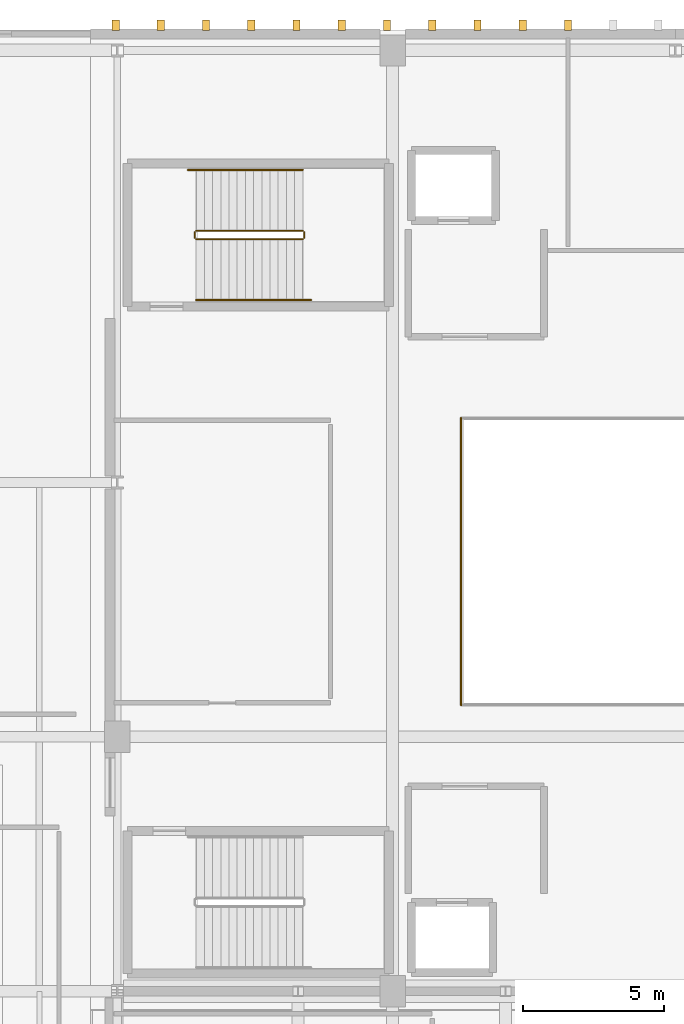
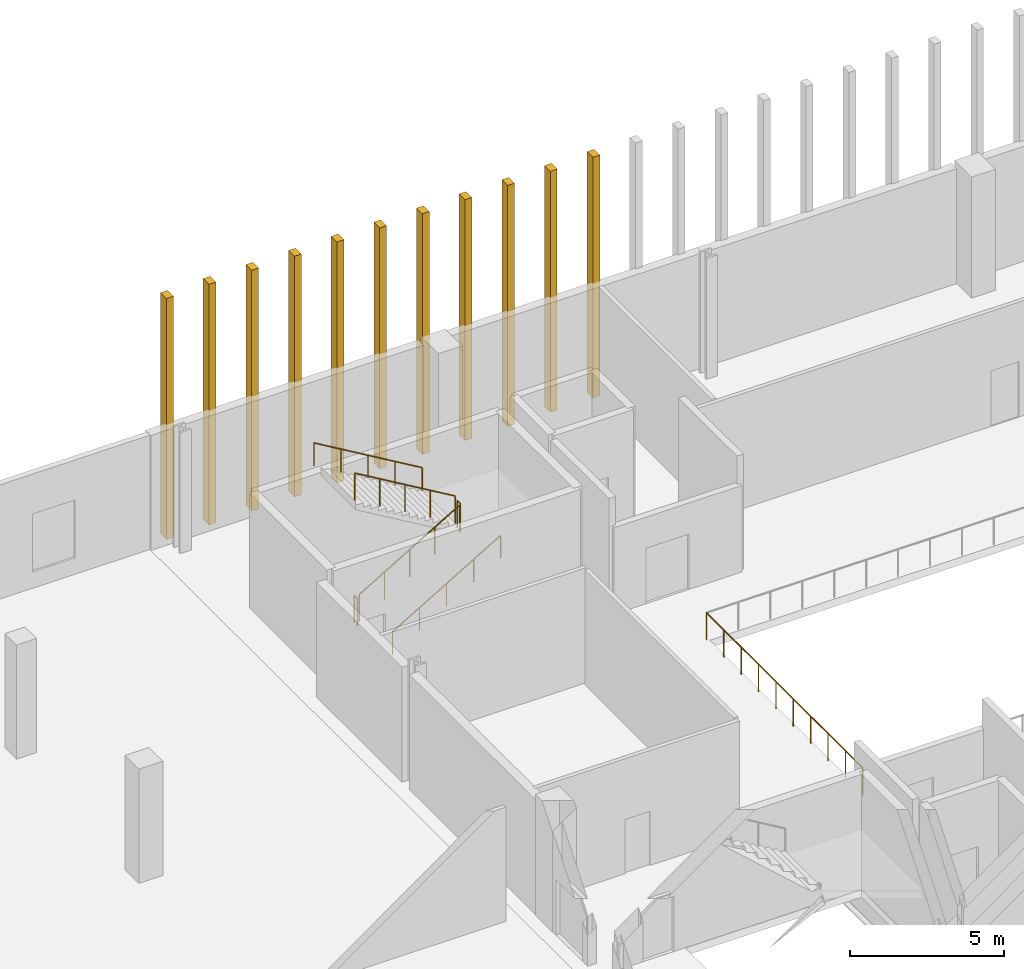
# One storey, part 28 of 30: 11 coverings, 7 railings.
"""IFC4 building model written with IfcOpenShell, lengths in metres."""

from ifc_helpers import new_model, si_unit, direction, frame, origin, origin_2d, place, context, subcontext, project, spatial, rectangle, circle, extrude, material, layer, layer_set, type_object, element, save


model = new_model("IFC4")

# Units and contexts
model_context = context("Model", 3, precision=1e-05, world=origin(), true_north=direction((0.0, 1.0)))
body_context = subcontext(model_context, "Body", "Model", "MODEL_VIEW")
ifc_project = project(units=[si_unit("LENGTHUNIT", "METRE"), si_unit("AREAUNIT", "SQUARE_METRE"), si_unit("VOLUMEUNIT", "CUBIC_METRE"), si_unit("PLANEANGLEUNIT", "RADIAN"), si_unit("MASSUNIT", "GRAM", prefix="KILO")], contexts=[model_context])

# Site, building, storey
site_placement = place(None, origin())
site = spatial("IfcSite", under=ifc_project, at=site_placement, CompositionType="ELEMENT")
building_placement = place(site_placement, origin())
building = spatial("IfcBuilding", under=site, at=building_placement, Name="Trimount Lyric Opera House", CompositionType="ELEMENT")
storey_placement = place(building_placement, frame((0.0, 0.0, 24.800048828125)))
storey = spatial("IfcBuildingStorey", under=building, at=storey_placement, Name="L05", CompositionType="ELEMENT", Elevation=24.800048828125)

# Coverings
ifc_material_1 = material(Name="Extruded Brushed Aluminium Vertical Shed Rib", Category="aluminium")
ifc_layer = layer(ifc_material_1, 0.260009765625)
ifc_layer_set = layer_set([ifc_layer], Name="CLD-RIB1")
covering_type = type_object("IfcCoveringType", Name="CLD-RIB1", PredefinedType="CLADDING", material=ifc_layer_set)
for number, where, z_axis, x_axis, name in (
    (1, (64.199951171875, 118.1650390625, 0.0), (0.0, 0.0, 1.0), (1.0, 0.0, 0.0), "Fly-tower north vertical cladding rib 125"),
    (2, (65.800048828125, 118.1650390625, 0.0), (0.0, 0.0, 1.0), (1.0, 0.0, 0.0), "Fly-tower north vertical cladding rib 130"),
    (3, (67.39990234375, 118.1650390625, 0.0), (0.0, 0.0, 1.0), (1.0, 0.0, 0.0), "Fly-tower north vertical cladding rib 135"),
    (4, (69.0, 118.1650390625, 0.0), (0.0, 0.0, 1.0), (1.0, 0.0, 0.0), "Fly-tower north vertical cladding rib 140"),
    (5, (70.60009765625, 118.1650390625, 0.0), (0.0, 0.0, 1.0), (1.0, 0.0, 0.0), "Fly-tower north vertical cladding rib 145"),
    (6, (72.199951171875, 118.1650390625, 0.0), (0.0, 0.0, 1.0), (1.0, 0.0, 0.0), "Fly-tower north vertical cladding rib 150"),
    (7, (73.800048828125, 118.1650390625, 0.0), (0.0, 0.0, 1.0), (1.0, 0.0, 0.0), "Fly-tower north vertical cladding rib 155"),
    (8, (75.39990234375, 118.1650390625, 0.0), (0.0, 0.0, 1.0), (1.0, 0.0, 0.0), "Fly-tower north vertical cladding rib 160"),
    (9, (77.0, 118.1650390625, 0.0), (0.0, 0.0, 1.0), (1.0, 0.0, 0.0), "Fly-tower north vertical cladding rib 165"),
    (10, (78.60009765625, 118.1650390625, 0.0), (0.0, 0.0, 1.0), (1.0, 0.0, 0.0), "Fly-tower north vertical cladding rib 170"),
    (11, (80.199951171875, 118.1650390625, 0.0), (0.0, 0.0, 1.0), (1.0, 0.0, 0.0), "Fly-tower north vertical cladding rib 175"),
):
    element("IfcCovering", number, at=place(storey_placement, frame(where, z_axis=z_axis, x_axis=x_axis)), inside=storey, type_object=covering_type, Name=name, PredefinedType="CLADDING", context=body_context, shape_type="SweptSolid", body=[
        extrude(rectangle(XDim=0.260009765625, YDim=0.3798828125, at=origin_2d()), origin(), (0.0, 0.0, 1.0), 9.550048828125),
    ])

# Railings
ifc_material_2 = material(Name="Brushed Stainless Steel 316", Category="steel")
railing_type_1 = type_object("IfcRailingType", Name="RL-GRD110", PredefinedType="GUARDRAIL", material=ifc_material_2)
railing_1_placement = place(storey_placement, frame((67.050048828125, 110.60009765625, 0.17138671875)))
element("IfcRailing", 12, at=railing_1_placement, inside=storey, type_object=railing_type_1, Name="L05 ST-01 stair guard 1", PredefinedType="GUARDRAIL", context=body_context, shape_type="SweptSolid", body=[
    extrude(circle(Radius=0.02392578125, at=origin_2d()), frame((0.0, 0.0, 1.076171875), z_axis=(0.860848830602, 0.0, 0.508860777473), x_axis=(0.0, 1.0, 0.0)), (0.0, 0.0, 1.0), 4.37939453125),
    extrude(circle(Radius=0.02099609375, at=origin_2d()), origin(), (0.0, 0.0, 1.0), 1.052001953125),
    extrude(circle(Radius=0.02099609375, at=origin_2d()), frame((0.9423828125, 0.0, 0.55712890625)), (0.0, 0.0, 1.0), 1.052001953125),
    extrude(circle(Radius=0.02099609375, at=origin_2d()), frame((1.885009765625, 0.0, 1.1142578125)), (0.0, 0.0, 1.0), 1.052001953125),
    extrude(circle(Radius=0.02099609375, at=origin_2d()), frame((2.82763671875, 0.0, 1.67138671875)), (0.0, 0.0, 1.0), 1.052001953125),
    extrude(circle(Radius=0.02099609375, at=origin_2d()), frame((3.77001953125, 0.0, 2.228515625)), (0.0, 0.0, 1.0), 1.052001953125),
])
railing_2_placement = place(storey_placement, frame((70.8701171875, 110.64990234375, 2.39990234375)))
element("IfcRailing", 13, at=railing_2_placement, inside=storey, type_object=railing_type_1, Name="L05 ST-01 stair guard 2", PredefinedType="GUARDRAIL", context=body_context, shape_type="SweptSolid", body=[
    extrude(circle(Radius=0.02392578125, at=origin_2d()), frame((0.0, 0.0, 1.076171875), z_axis=(0.0, 1.0, 0.0), x_axis=(-1.0, 0.0, 0.0)), (0.0, 0.0, 1.0), 0.2001953125),
    extrude(circle(Radius=0.02099609375, at=origin_2d()), origin(), (0.0, 0.0, 1.0), 1.052001953125),
    extrude(circle(Radius=0.02099609375, at=origin_2d()), frame((0.0, 0.2001953125, 0.0)), (0.0, 0.0, 1.0), 1.052001953125),
])
railing_3_placement = place(storey_placement, frame((70.820068359375, 110.89990234375, 2.5712890625)))
element("IfcRailing", 14, at=railing_3_placement, inside=storey, type_object=railing_type_1, Name="L05 ST-01 stair guard 3", PredefinedType="GUARDRAIL", context=body_context, shape_type="SweptSolid", body=[
    extrude(circle(Radius=0.02392578125, at=origin_2d()), frame((0.0, 0.0, 1.076171875), z_axis=(-0.860824410104, 0.0, 0.508902087802), x_axis=(0.0, -1.0, 0.0)), (0.0, 0.0, 1.0), 4.379638671875),
    extrude(circle(Radius=0.02099609375, at=origin_2d()), origin(), (0.0, 0.0, 1.0), 1.052001953125),
    extrude(circle(Radius=0.02099609375, at=origin_2d()), frame((-0.9423828125, 0.0, 0.55712890625)), (0.0, 0.0, 1.0), 1.052001953125),
    extrude(circle(Radius=0.02099609375, at=origin_2d()), frame((-1.885009765625, 0.0, 1.1142578125)), (0.0, 0.0, 1.0), 1.052001953125),
    extrude(circle(Radius=0.02099609375, at=origin_2d()), frame((-2.82763671875, 0.0, 1.671630859375)), (0.0, 0.0, 1.0), 1.052001953125),
    extrude(circle(Radius=0.02099609375, at=origin_2d()), frame((-3.77001953125, 0.0, 2.228759765625)), (0.0, 0.0, 1.0), 1.052001953125),
])
railing_4_placement = place(storey_placement, frame((67.0, 110.64990234375, 0.0)))
element("IfcRailing", 15, at=railing_4_placement, inside=storey, type_object=railing_type_1, Name="L05 ST-01 stair guard 4", PredefinedType="GUARDRAIL", context=body_context, shape_type="SweptSolid", body=[
    extrude(circle(Radius=0.02392578125, at=origin_2d()), frame((0.0, 0.0, 1.076171875), z_axis=(0.0, 1.0, 0.0), x_axis=(-1.0, 0.0, 0.0)), (0.0, 0.0, 1.0), 0.2001953125),
    extrude(circle(Radius=0.02099609375, at=origin_2d()), origin(), (0.0, 0.0, 1.0), 1.052001953125),
    extrude(circle(Radius=0.02099609375, at=origin_2d()), frame((0.0, 0.2001953125, 0.0)), (0.0, 0.0, 1.0), 1.052001953125),
])
railing_5_placement = place(storey_placement, frame((76.419921875, 104.280029296875, 0.0)))
element("IfcRailing", 16, at=railing_5_placement, inside=storey, type_object=railing_type_1, Name="L05 atrium and balcony guard GRD-FLY-L05-W", PredefinedType="GUARDRAIL", context=body_context, shape_type="SweptSolid", body=[
    extrude(circle(Radius=0.02392578125, at=origin_2d()), frame((0.0, 0.0, 1.076171875), z_axis=(0.0, -1.0, 0.0), x_axis=(1.0, 0.0, 0.0)), (0.0, 0.0, 1.0), 10.159912109375),
    extrude(circle(Radius=0.02099609375, at=origin_2d()), origin(), (0.0, 0.0, 1.0), 1.052001953125),
    extrude(circle(Radius=0.02099609375, at=origin_2d()), frame((0.0, -1.12890625, 0.0)), (0.0, 0.0, 1.0), 1.052001953125),
    extrude(circle(Radius=0.02099609375, at=origin_2d()), frame((0.0, -2.2578125, 0.0)), (0.0, 0.0, 1.0), 1.052001953125),
    extrude(circle(Radius=0.02099609375, at=origin_2d()), frame((0.0, -3.38671875, 0.0)), (0.0, 0.0, 1.0), 1.052001953125),
    extrude(circle(Radius=0.02099609375, at=origin_2d()), frame((0.0, -4.515625, 0.0)), (0.0, 0.0, 1.0), 1.052001953125),
    extrude(circle(Radius=0.02099609375, at=origin_2d()), frame((0.0, -5.644287109375, 0.0)), (0.0, 0.0, 1.0), 1.052001953125),
    extrude(circle(Radius=0.02099609375, at=origin_2d()), frame((0.0, -6.773193359375, 0.0)), (0.0, 0.0, 1.0), 1.052001953125),
    extrude(circle(Radius=0.02099609375, at=origin_2d()), frame((0.0, -7.902099609375, 0.0)), (0.0, 0.0, 1.0), 1.052001953125),
    extrude(circle(Radius=0.02099609375, at=origin_2d()), frame((0.0, -9.031005859375, 0.0)), (0.0, 0.0, 1.0), 1.052001953125),
    extrude(circle(Radius=0.02099609375, at=origin_2d()), frame((0.0, -10.159912109375, 0.0)), (0.0, 0.0, 1.0), 1.052001953125),
])
ifc_material_3 = material(Name="Brushed Stainless Steel 316", Category="steel")
railing_type_2 = type_object("IfcRailingType", Name="RL-HND092", PredefinedType="HANDRAIL", material=ifc_material_3)
railing_6_placement = place(storey_placement, frame((67.050048828125, 108.449951171875, 0.17138671875)))
element("IfcRailing", 17, at=railing_6_placement, inside=storey, type_object=railing_type_2, Name="L05 ST-01 stair handrail 1", PredefinedType="HANDRAIL", context=body_context, shape_type="SweptSolid", body=[
    extrude(circle(Radius=0.0224609375, at=origin_2d()), frame((0.0, 0.0, 0.8974609375), z_axis=(0.86055955557, 0.0, 0.509349831959), x_axis=(0.0, 1.0, 0.0)), (0.0, 0.0, 1.0), 4.718017578125),
    extrude(circle(Radius=0.02099609375, at=origin_2d()), origin(), (0.0, 0.0, 1.0), 0.875),
    extrude(circle(Radius=0.02099609375, at=origin_2d()), frame((1.01513671875, 0.0, 0.600830078125)), (0.0, 0.0, 1.0), 0.875),
    extrude(circle(Radius=0.02099609375, at=origin_2d()), frame((2.030029296875, 0.0, 1.20166015625)), (0.0, 0.0, 1.0), 0.875),
    extrude(circle(Radius=0.02099609375, at=origin_2d()), frame((3.044921875, 0.0, 1.80224609375)), (0.0, 0.0, 1.0), 0.875),
    extrude(circle(Radius=0.02099609375, at=origin_2d()), frame((4.06005859375, 0.0, 2.403076171875)), (0.0, 0.0, 1.0), 0.875),
])
railing_7_placement = place(storey_placement, frame((70.820068359375, 113.050048828125, 2.5712890625)))
element("IfcRailing", 18, at=railing_7_placement, inside=storey, type_object=railing_type_2, Name="L05 ST-01 stair handrail 2", PredefinedType="HANDRAIL", context=body_context, shape_type="SweptSolid", body=[
    extrude(circle(Radius=0.0224609375, at=origin_2d()), frame((0.0, 0.0, 0.8974609375), z_axis=(-0.860536873083, 0.0, 0.509388152654), x_axis=(0.0, -1.0, 0.0)), (0.0, 0.0, 1.0), 4.718017578125),
    extrude(circle(Radius=0.02099609375, at=origin_2d()), origin(), (0.0, 0.0, 1.0), 0.875),
    extrude(circle(Radius=0.02099609375, at=origin_2d()), frame((-1.01513671875, 0.0, 0.600830078125)), (0.0, 0.0, 1.0), 0.875),
    extrude(circle(Radius=0.02099609375, at=origin_2d()), frame((-2.030029296875, 0.0, 1.20166015625)), (0.0, 0.0, 1.0), 0.875),
    extrude(circle(Radius=0.02099609375, at=origin_2d()), frame((-3.044921875, 0.0, 1.802490234375)), (0.0, 0.0, 1.0), 0.875),
    extrude(circle(Radius=0.02099609375, at=origin_2d()), frame((-4.06005859375, 0.0, 2.4033203125)), (0.0, 0.0, 1.0), 0.875),
])

save(model, "model.ifc")
